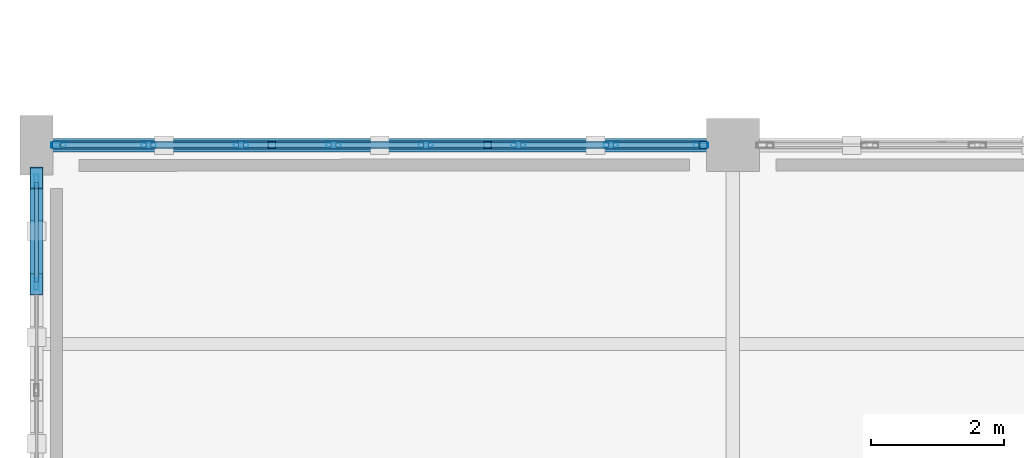
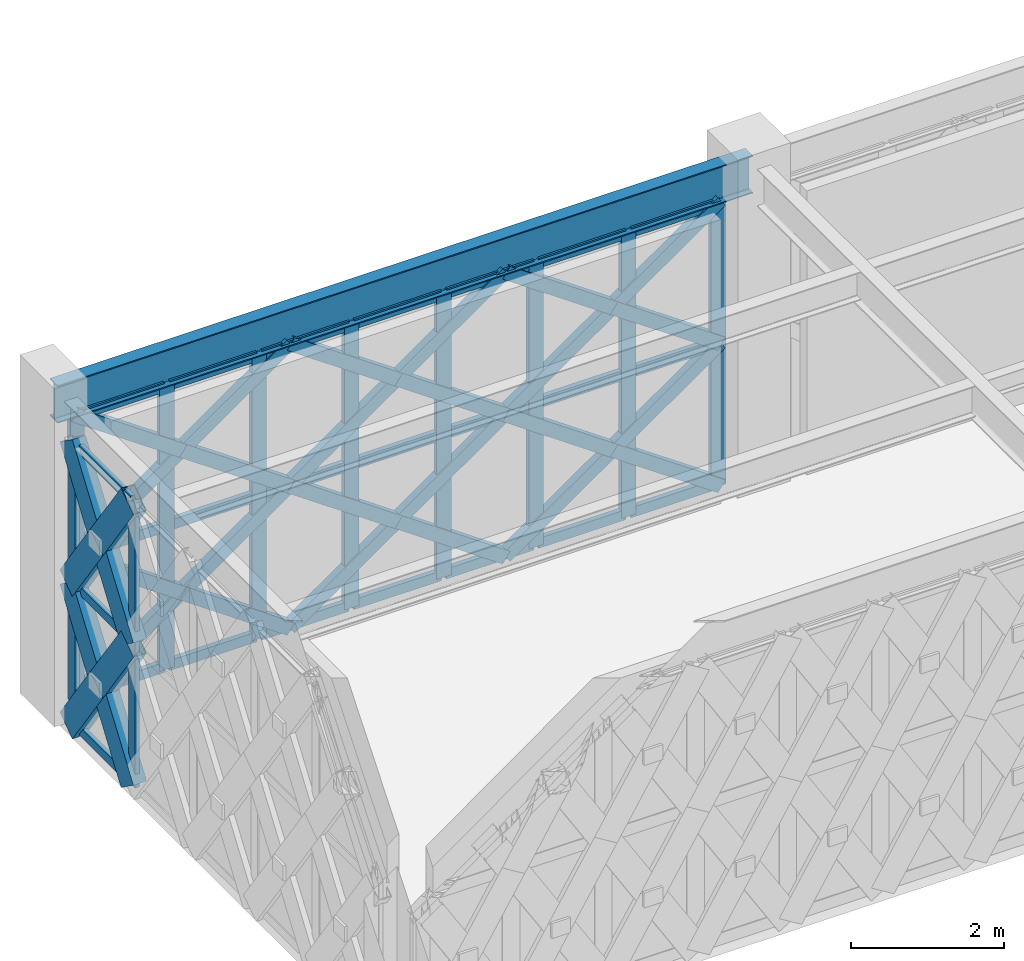
# One storey, part 16 of 86: 58 members, 1 beam, 2 elements without a shape of their own.
"""IFC4 building model written with IfcOpenShell, lengths in metres."""

from ifc_helpers import new_model, si_unit, direction, frame, origin, origin_2d, place, context, subcontext, project, spatial, hollow_rectangle, i_section, extrude, material, material_profile, profile_set, type_object, element, aggregate, save


model = new_model("IFC4")

# Units and contexts
model_context = context("Model", 3, precision=1e-05, world=origin(), true_north=direction((0.0, 1.0)))
body_context = subcontext(model_context, "Body", "Model", "MODEL_VIEW")
ifc_project = project(units=[si_unit("LENGTHUNIT", "METRE"), si_unit("AREAUNIT", "SQUARE_METRE"), si_unit("VOLUMEUNIT", "CUBIC_METRE"), si_unit("PLANEANGLEUNIT", "RADIAN"), si_unit("MASSUNIT", "GRAM", prefix="KILO")], contexts=[model_context])

# Site, building, storey
site_placement = place(None, origin())
site = spatial("IfcSite", under=ifc_project, at=site_placement, CompositionType="ELEMENT")
building_placement = place(site_placement, origin())
building = spatial("IfcBuilding", under=site, at=building_placement, Name="Haizhuo Lancet Aquarium", CompositionType="ELEMENT")
storey_placement = place(building_placement, frame((0.0, 0.0, 16.199951171875)))
storey = spatial("IfcBuildingStorey", under=building, at=storey_placement, Name="L03", CompositionType="ELEMENT", Elevation=16.199951171875)

# Beam
ifc_material_1 = material(Name="Steel S355", Category="steel")
ifc_material_profile_1 = material_profile(ifc_material_1, i_section(OverallWidth=0.199951171875, OverallDepth=0.60009765625, WebThickness=0.010986328125, FlangeThickness=0.01708984375, FilletRadius=0.02197265625, at=origin_2d()), Name="HN 600x200x11x17")
ifc_profile_set_1 = profile_set([ifc_material_profile_1], Name="Steel S355")
beam_type = type_object("IfcBeamType", Name="BM-ST-HN600", PredefinedType="BEAM", material=ifc_profile_set_1)
beam_placement = place(storey_placement, frame((-82.5, -9.0, 4.85009765625), z_axis=(1.0, 0.0, 0.0), x_axis=(0.0, 1.0, 0.0)))
element("IfcBeam", 1, at=beam_placement, inside=storey, type_object=beam_type, Name="L03 V6 primary girder BM-L03-V6-003", PredefinedType="BEAM", context=body_context, shape_type="SweptSolid", body=[
    extrude(i_section(OverallWidth=0.199951171875, OverallDepth=0.60009765625, WebThickness=0.010986328125, FlangeThickness=0.01708984375, FilletRadius=0.02197265625, at=origin_2d()), origin(), (0.0, 0.0, 1.0), 10.5),
])

# Curtain wall, members
ifc_material_2 = material(Name="Aluminium 6063-T6", Category="aluminium")
curtain_wall_type_1 = type_object("IfcCurtainWallType", Name="CWD-8010x4550", PredefinedType="NOTDEFINED", material=ifc_material_2)
curtain_wall_1_placement = place(storey_placement, origin())
curtain_wall_1 = element("IfcCurtainWall", 2, at=curtain_wall_1_placement, inside=storey, type_object=curtain_wall_type_1, Name="L03 curtain wall CW-V6-L03-229", PredefinedType="NOTDEFINED")
ifc_material_profile_2 = material_profile(ifc_material_2, hollow_rectangle(XDim=0.06494140625, YDim=0.179931640625, WallThickness=0.00390625, at=origin_2d()), Name="ALU-M 65x180x4")
ifc_profile_set_2 = profile_set([ifc_material_profile_2], Name="Aluminium 6063-T6")
member_type_1 = type_object("IfcMemberType", Name="CW-MUL-1", PredefinedType="MULLION", material=ifc_profile_set_2)
member_1_placement = place(storey_placement, frame((-82.5, -11.096923828125, 0.0), z_axis=(0.0, 0.0, 1.0), x_axis=(-1.0, 0.0, 0.0)))
member_1 = element("IfcMember", 3, at=member_1_placement, type_object=member_type_1, Name="CWD-80x45 mullion 5", PredefinedType="MULLION", context=body_context, shape_type="SweptSolid", body=[
    extrude(hollow_rectangle(XDim=0.06494140625, YDim=0.179931640625, WallThickness=0.00390625, at=origin_2d()), origin(), (0.0, 0.0, 1.0), 4.550048828125),
])
member_2_placement = place(storey_placement, frame((-82.5, -9.527099609375, 0.0), z_axis=(0.0, 0.0, 1.0), x_axis=(-1.0, 0.0, 0.0)))
member_2 = element("IfcMember", 4, at=member_2_placement, type_object=member_type_1, Name="CWD-80x45 mullion 6", PredefinedType="MULLION", context=body_context, shape_type="SweptSolid", body=[
    extrude(hollow_rectangle(XDim=0.06494140625, YDim=0.179931640625, WallThickness=0.00390625, at=origin_2d()), origin(), (0.0, 0.0, 1.0), 4.550048828125),
])

curtain_wall_type_2 = type_object("IfcCurtainWallType", Name="CWO-9760x4550", PredefinedType="NOTDEFINED", material=ifc_material_2)
curtain_wall_2_placement = place(storey_placement, origin())
curtain_wall_2 = element("IfcCurtainWall", 5, at=curtain_wall_2_placement, inside=storey, type_object=curtain_wall_type_2, Name="L03 curtain wall CW-V6-L03-230", PredefinedType="NOTDEFINED")
ifc_material_profile_3 = material_profile(ifc_material_2, hollow_rectangle(XDim=0.074951171875, YDim=0.219970703125, WallThickness=0.0048828125, at=origin_2d()), Name="ALU-M 75x220x5")
ifc_profile_set_3 = profile_set([ifc_material_profile_3], Name="Aluminium 6063-T6")
member_type_2 = type_object("IfcMemberType", Name="CW-MUL-2", PredefinedType="MULLION", material=ifc_profile_set_3)
member_3_placement = place(storey_placement, frame((-82.16796875, -9.0, 0.0), z_axis=(0.0, 0.0, 1.0), x_axis=(0.0, 1.0, 0.0)))
member_3 = element("IfcMember", 6, at=member_3_placement, type_object=member_type_2, Name="CWO-97x45 mullion 1", PredefinedType="MULLION", context=body_context, shape_type="SweptSolid", body=[
    extrude(hollow_rectangle(XDim=0.074951171875, YDim=0.219970703125, WallThickness=0.0048828125, at=origin_2d()), origin(), (0.0, 0.0, 1.0), 4.550048828125),
])
member_4_placement = place(storey_placement, frame((-80.81103515625, -9.0, 0.0), z_axis=(0.0, 0.0, 1.0), x_axis=(0.0, 1.0, 0.0)))
member_4 = element("IfcMember", 7, at=member_4_placement, type_object=member_type_2, Name="CWO-97x45 mullion 2", PredefinedType="MULLION", context=body_context, shape_type="SweptSolid", body=[
    extrude(hollow_rectangle(XDim=0.074951171875, YDim=0.219970703125, WallThickness=0.0048828125, at=origin_2d()), origin(), (0.0, 0.0, 1.0), 4.550048828125),
])
member_5_placement = place(storey_placement, frame((-79.416015625, -9.0, 0.0), z_axis=(0.0, 0.0, 1.0), x_axis=(0.0, 1.0, 0.0)))
member_5 = element("IfcMember", 8, at=member_5_placement, type_object=member_type_2, Name="CWO-97x45 mullion 3", PredefinedType="MULLION", context=body_context, shape_type="SweptSolid", body=[
    extrude(hollow_rectangle(XDim=0.074951171875, YDim=0.219970703125, WallThickness=0.0048828125, at=origin_2d()), origin(), (0.0, 0.0, 1.0), 4.550048828125),
])
member_6_placement = place(storey_placement, frame((-78.02197265625, -9.0, 0.0), z_axis=(0.0, 0.0, 1.0), x_axis=(0.0, 1.0, 0.0)))
member_6 = element("IfcMember", 9, at=member_6_placement, type_object=member_type_2, Name="CWO-97x45 mullion 4", PredefinedType="MULLION", context=body_context, shape_type="SweptSolid", body=[
    extrude(hollow_rectangle(XDim=0.074951171875, YDim=0.219970703125, WallThickness=0.0048828125, at=origin_2d()), origin(), (0.0, 0.0, 1.0), 4.550048828125),
])
member_7_placement = place(storey_placement, frame((-76.6279296875, -9.0, 0.0), z_axis=(0.0, 0.0, 1.0), x_axis=(0.0, 1.0, 0.0)))
member_7 = element("IfcMember", 10, at=member_7_placement, type_object=member_type_2, Name="CWO-97x45 mullion 5", PredefinedType="MULLION", context=body_context, shape_type="SweptSolid", body=[
    extrude(hollow_rectangle(XDim=0.074951171875, YDim=0.219970703125, WallThickness=0.0048828125, at=origin_2d()), origin(), (0.0, 0.0, 1.0), 4.550048828125),
])
member_8_placement = place(storey_placement, frame((-75.23388671875, -9.0, 0.0), z_axis=(0.0, 0.0, 1.0), x_axis=(0.0, 1.0, 0.0)))
member_8 = element("IfcMember", 11, at=member_8_placement, type_object=member_type_2, Name="CWO-97x45 mullion 6", PredefinedType="MULLION", context=body_context, shape_type="SweptSolid", body=[
    extrude(hollow_rectangle(XDim=0.074951171875, YDim=0.219970703125, WallThickness=0.0048828125, at=origin_2d()), origin(), (0.0, 0.0, 1.0), 4.550048828125),
])
member_9_placement = place(storey_placement, frame((-73.839111328125, -9.0, 0.0), z_axis=(0.0, 0.0, 1.0), x_axis=(0.0, 1.0, 0.0)))
member_9 = element("IfcMember", 12, at=member_9_placement, type_object=member_type_2, Name="CWO-97x45 mullion 7", PredefinedType="MULLION", context=body_context, shape_type="SweptSolid", body=[
    extrude(hollow_rectangle(XDim=0.074951171875, YDim=0.219970703125, WallThickness=0.0048828125, at=origin_2d()), origin(), (0.0, 0.0, 1.0), 4.550048828125),
])
member_10_placement = place(storey_placement, frame((-72.48193359375, -9.0, 0.0), z_axis=(0.0, 0.0, 1.0), x_axis=(0.0, 1.0, 0.0)))
member_10 = element("IfcMember", 13, at=member_10_placement, type_object=member_type_2, Name="CWO-97x45 mullion 8", PredefinedType="MULLION", context=body_context, shape_type="SweptSolid", body=[
    extrude(hollow_rectangle(XDim=0.074951171875, YDim=0.219970703125, WallThickness=0.0048828125, at=origin_2d()), origin(), (0.0, 0.0, 1.0), 4.550048828125),
])

# Member
ifc_material_profile_4 = material_profile(ifc_material_2, hollow_rectangle(XDim=0.06494140625, YDim=0.139892578125, WallThickness=0.00390625, at=origin_2d()), Name="ALU-T 65x140x4")
ifc_profile_set_4 = profile_set([ifc_material_profile_4], Name="Aluminium 6063-T6")
member_type_3 = type_object("IfcMemberType", Name="CW-TRN-1", PredefinedType="NOTDEFINED", material=ifc_profile_set_4)
member_11_placement = place(storey_placement, frame((-82.5, -11.06396484375, 0.031982421875), z_axis=(0.0, 1.0, 0.0), x_axis=(-1.0, 0.0, 0.0)))
member_11 = element("IfcMember", 14, at=member_11_placement, type_object=member_type_3, Name="CWD-80x45 transom 5.1", ObjectType="TRANSOM", PredefinedType="USERDEFINED", context=body_context, shape_type="SweptSolid", body=[
    extrude(hollow_rectangle(XDim=0.06494140625, YDim=0.139892578125, WallThickness=0.00390625, at=origin_2d()), origin(), (0.0, 0.0, 1.0), 1.50390625),
])

member_12_placement = place(storey_placement, frame((-82.5, -11.06396484375, 2.275146484375), z_axis=(0.0, 1.0, 0.0), x_axis=(-1.0, 0.0, 0.0)))
member_12 = element("IfcMember", 15, at=member_12_placement, type_object=member_type_3, Name="CWD-80x45 transom 5.2", ObjectType="TRANSOM", PredefinedType="USERDEFINED", context=body_context, shape_type="SweptSolid", body=[
    extrude(hollow_rectangle(XDim=0.06494140625, YDim=0.139892578125, WallThickness=0.00390625, at=origin_2d()), origin(), (0.0, 0.0, 1.0), 1.50390625),
])

member_13_placement = place(storey_placement, frame((-82.5, -11.06396484375, 4.51806640625), z_axis=(0.0, 1.0, 0.0), x_axis=(-1.0, 0.0, 0.0)))
member_13 = element("IfcMember", 16, at=member_13_placement, type_object=member_type_3, Name="CWD-80x45 transom 5.3", ObjectType="TRANSOM", PredefinedType="USERDEFINED", context=body_context, shape_type="SweptSolid", body=[
    extrude(hollow_rectangle(XDim=0.06494140625, YDim=0.139892578125, WallThickness=0.00390625, at=origin_2d()), origin(), (0.0, 0.0, 1.0), 1.50390625),
])

aggregate(curtain_wall_1, [member_1, member_2, member_11, member_12, member_13])

ifc_material_profile_5 = material_profile(ifc_material_2, hollow_rectangle(XDim=0.074951171875, YDim=0.159912109375, WallThickness=0.00390625, at=origin_2d()), Name="ALU-T 75x160x4")
ifc_profile_set_5 = profile_set([ifc_material_profile_5], Name="Aluminium 6063-T6")
member_type_4 = type_object("IfcMemberType", Name="CW-TRN-2", PredefinedType="NOTDEFINED", material=ifc_profile_set_5)
member_14_placement = place(storey_placement, frame((-82.1298828125, -9.0, 0.0380859375), z_axis=(1.0, 0.0, 0.0), x_axis=(0.0, 1.0, 0.0)))
member_14 = element("IfcMember", 17, at=member_14_placement, type_object=member_type_4, Name="CWO-97x45 transom 1.1", ObjectType="TRANSOM", PredefinedType="USERDEFINED", context=body_context, shape_type="SweptSolid", body=[
    extrude(hollow_rectangle(XDim=0.074951171875, YDim=0.159912109375, WallThickness=0.00390625, at=origin_2d()), origin(), (0.0, 0.0, 1.0), 1.281982421875),
])

member_15_placement = place(storey_placement, frame((-82.1298828125, -9.0, 2.275146484375), z_axis=(1.0, 0.0, 0.0), x_axis=(0.0, 1.0, 0.0)))
member_15 = element("IfcMember", 18, at=member_15_placement, type_object=member_type_4, Name="CWO-97x45 transom 1.2", ObjectType="TRANSOM", PredefinedType="USERDEFINED", context=body_context, shape_type="SweptSolid", body=[
    extrude(hollow_rectangle(XDim=0.074951171875, YDim=0.159912109375, WallThickness=0.00390625, at=origin_2d()), origin(), (0.0, 0.0, 1.0), 1.281982421875),
])

member_16_placement = place(storey_placement, frame((-82.1298828125, -9.0, 4.511962890625), z_axis=(1.0, 0.0, 0.0), x_axis=(0.0, 1.0, 0.0)))
member_16 = element("IfcMember", 19, at=member_16_placement, type_object=member_type_4, Name="CWO-97x45 transom 1.3", ObjectType="TRANSOM", PredefinedType="USERDEFINED", context=body_context, shape_type="SweptSolid", body=[
    extrude(hollow_rectangle(XDim=0.074951171875, YDim=0.159912109375, WallThickness=0.00390625, at=origin_2d()), origin(), (0.0, 0.0, 1.0), 1.281982421875),
])

member_17_placement = place(storey_placement, frame((-80.77294921875, -9.0, 0.0380859375), z_axis=(1.0, 0.0, 0.0), x_axis=(0.0, 1.0, 0.0)))
member_17 = element("IfcMember", 20, at=member_17_placement, type_object=member_type_4, Name="CWO-97x45 transom 2.1", ObjectType="TRANSOM", PredefinedType="USERDEFINED", context=body_context, shape_type="SweptSolid", body=[
    extrude(hollow_rectangle(XDim=0.074951171875, YDim=0.159912109375, WallThickness=0.00390625, at=origin_2d()), origin(), (0.0, 0.0, 1.0), 1.31884765625),
])

member_18_placement = place(storey_placement, frame((-80.77294921875, -9.0, 2.275146484375), z_axis=(1.0, 0.0, 0.0), x_axis=(0.0, 1.0, 0.0)))
member_18 = element("IfcMember", 21, at=member_18_placement, type_object=member_type_4, Name="CWO-97x45 transom 2.2", ObjectType="TRANSOM", PredefinedType="USERDEFINED", context=body_context, shape_type="SweptSolid", body=[
    extrude(hollow_rectangle(XDim=0.074951171875, YDim=0.159912109375, WallThickness=0.00390625, at=origin_2d()), origin(), (0.0, 0.0, 1.0), 1.31884765625),
])

member_19_placement = place(storey_placement, frame((-80.77294921875, -9.0, 4.511962890625), z_axis=(1.0, 0.0, 0.0), x_axis=(0.0, 1.0, 0.0)))
member_19 = element("IfcMember", 22, at=member_19_placement, type_object=member_type_4, Name="CWO-97x45 transom 2.3", ObjectType="TRANSOM", PredefinedType="USERDEFINED", context=body_context, shape_type="SweptSolid", body=[
    extrude(hollow_rectangle(XDim=0.074951171875, YDim=0.159912109375, WallThickness=0.00390625, at=origin_2d()), origin(), (0.0, 0.0, 1.0), 1.31884765625),
])

member_20_placement = place(storey_placement, frame((-79.37890625, -9.0, 0.0380859375), z_axis=(1.0, 0.0, 0.0), x_axis=(0.0, 1.0, 0.0)))
member_20 = element("IfcMember", 23, at=member_20_placement, type_object=member_type_4, Name="CWO-97x45 transom 3.1", ObjectType="TRANSOM", PredefinedType="USERDEFINED", context=body_context, shape_type="SweptSolid", body=[
    extrude(hollow_rectangle(XDim=0.074951171875, YDim=0.159912109375, WallThickness=0.00390625, at=origin_2d()), origin(), (0.0, 0.0, 1.0), 1.31884765625),
])

member_21_placement = place(storey_placement, frame((-79.37890625, -9.0, 2.275146484375), z_axis=(1.0, 0.0, 0.0), x_axis=(0.0, 1.0, 0.0)))
member_21 = element("IfcMember", 24, at=member_21_placement, type_object=member_type_4, Name="CWO-97x45 transom 3.2", ObjectType="TRANSOM", PredefinedType="USERDEFINED", context=body_context, shape_type="SweptSolid", body=[
    extrude(hollow_rectangle(XDim=0.074951171875, YDim=0.159912109375, WallThickness=0.00390625, at=origin_2d()), origin(), (0.0, 0.0, 1.0), 1.31884765625),
])

member_22_placement = place(storey_placement, frame((-79.37890625, -9.0, 4.511962890625), z_axis=(1.0, 0.0, 0.0), x_axis=(0.0, 1.0, 0.0)))
member_22 = element("IfcMember", 25, at=member_22_placement, type_object=member_type_4, Name="CWO-97x45 transom 3.3", ObjectType="TRANSOM", PredefinedType="USERDEFINED", context=body_context, shape_type="SweptSolid", body=[
    extrude(hollow_rectangle(XDim=0.074951171875, YDim=0.159912109375, WallThickness=0.00390625, at=origin_2d()), origin(), (0.0, 0.0, 1.0), 1.31884765625),
])

member_23_placement = place(storey_placement, frame((-77.985107421875, -9.0, 0.0380859375), z_axis=(1.0, 0.0, 0.0), x_axis=(0.0, 1.0, 0.0)))
member_23 = element("IfcMember", 26, at=member_23_placement, type_object=member_type_4, Name="CWO-97x45 transom 4.1", ObjectType="TRANSOM", PredefinedType="USERDEFINED", context=body_context, shape_type="SweptSolid", body=[
    extrude(hollow_rectangle(XDim=0.074951171875, YDim=0.159912109375, WallThickness=0.00390625, at=origin_2d()), origin(), (0.0, 0.0, 1.0), 1.320068359375),
])

member_24_placement = place(storey_placement, frame((-77.985107421875, -9.0, 2.275146484375), z_axis=(1.0, 0.0, 0.0), x_axis=(0.0, 1.0, 0.0)))
member_24 = element("IfcMember", 27, at=member_24_placement, type_object=member_type_4, Name="CWO-97x45 transom 4.2", ObjectType="TRANSOM", PredefinedType="USERDEFINED", context=body_context, shape_type="SweptSolid", body=[
    extrude(hollow_rectangle(XDim=0.074951171875, YDim=0.159912109375, WallThickness=0.00390625, at=origin_2d()), origin(), (0.0, 0.0, 1.0), 1.320068359375),
])

member_25_placement = place(storey_placement, frame((-77.985107421875, -9.0, 4.511962890625), z_axis=(1.0, 0.0, 0.0), x_axis=(0.0, 1.0, 0.0)))
member_25 = element("IfcMember", 28, at=member_25_placement, type_object=member_type_4, Name="CWO-97x45 transom 4.3", ObjectType="TRANSOM", PredefinedType="USERDEFINED", context=body_context, shape_type="SweptSolid", body=[
    extrude(hollow_rectangle(XDim=0.074951171875, YDim=0.159912109375, WallThickness=0.00390625, at=origin_2d()), origin(), (0.0, 0.0, 1.0), 1.320068359375),
])

member_26_placement = place(storey_placement, frame((-76.590087890625, -9.0, 0.0380859375), z_axis=(1.0, 0.0, 0.0), x_axis=(0.0, 1.0, 0.0)))
member_26 = element("IfcMember", 29, at=member_26_placement, type_object=member_type_4, Name="CWO-97x45 transom 5.1", ObjectType="TRANSOM", PredefinedType="USERDEFINED", context=body_context, shape_type="SweptSolid", body=[
    extrude(hollow_rectangle(XDim=0.074951171875, YDim=0.159912109375, WallThickness=0.00390625, at=origin_2d()), origin(), (0.0, 0.0, 1.0), 1.319091796875),
])

member_27_placement = place(storey_placement, frame((-76.590087890625, -9.0, 2.275146484375), z_axis=(1.0, 0.0, 0.0), x_axis=(0.0, 1.0, 0.0)))
member_27 = element("IfcMember", 30, at=member_27_placement, type_object=member_type_4, Name="CWO-97x45 transom 5.2", ObjectType="TRANSOM", PredefinedType="USERDEFINED", context=body_context, shape_type="SweptSolid", body=[
    extrude(hollow_rectangle(XDim=0.074951171875, YDim=0.159912109375, WallThickness=0.00390625, at=origin_2d()), origin(), (0.0, 0.0, 1.0), 1.319091796875),
])

member_28_placement = place(storey_placement, frame((-76.590087890625, -9.0, 4.511962890625), z_axis=(1.0, 0.0, 0.0), x_axis=(0.0, 1.0, 0.0)))
member_28 = element("IfcMember", 31, at=member_28_placement, type_object=member_type_4, Name="CWO-97x45 transom 5.3", ObjectType="TRANSOM", PredefinedType="USERDEFINED", context=body_context, shape_type="SweptSolid", body=[
    extrude(hollow_rectangle(XDim=0.074951171875, YDim=0.159912109375, WallThickness=0.00390625, at=origin_2d()), origin(), (0.0, 0.0, 1.0), 1.319091796875),
])

member_29_placement = place(storey_placement, frame((-75.196044921875, -9.0, 0.0380859375), z_axis=(1.0, 0.0, 0.0), x_axis=(0.0, 1.0, 0.0)))
member_29 = element("IfcMember", 32, at=member_29_placement, type_object=member_type_4, Name="CWO-97x45 transom 6.1", ObjectType="TRANSOM", PredefinedType="USERDEFINED", context=body_context, shape_type="SweptSolid", body=[
    extrude(hollow_rectangle(XDim=0.074951171875, YDim=0.159912109375, WallThickness=0.00390625, at=origin_2d()), origin(), (0.0, 0.0, 1.0), 1.319091796875),
])

member_30_placement = place(storey_placement, frame((-75.196044921875, -9.0, 2.275146484375), z_axis=(1.0, 0.0, 0.0), x_axis=(0.0, 1.0, 0.0)))
member_30 = element("IfcMember", 33, at=member_30_placement, type_object=member_type_4, Name="CWO-97x45 transom 6.2", ObjectType="TRANSOM", PredefinedType="USERDEFINED", context=body_context, shape_type="SweptSolid", body=[
    extrude(hollow_rectangle(XDim=0.074951171875, YDim=0.159912109375, WallThickness=0.00390625, at=origin_2d()), origin(), (0.0, 0.0, 1.0), 1.319091796875),
])

member_31_placement = place(storey_placement, frame((-75.196044921875, -9.0, 4.511962890625), z_axis=(1.0, 0.0, 0.0), x_axis=(0.0, 1.0, 0.0)))
member_31 = element("IfcMember", 34, at=member_31_placement, type_object=member_type_4, Name="CWO-97x45 transom 6.3", ObjectType="TRANSOM", PredefinedType="USERDEFINED", context=body_context, shape_type="SweptSolid", body=[
    extrude(hollow_rectangle(XDim=0.074951171875, YDim=0.159912109375, WallThickness=0.00390625, at=origin_2d()), origin(), (0.0, 0.0, 1.0), 1.319091796875),
])

member_32_placement = place(storey_placement, frame((-73.802001953125, -9.0, 0.0380859375), z_axis=(1.0, 0.0, 0.0), x_axis=(0.0, 1.0, 0.0)))
member_32 = element("IfcMember", 35, at=member_32_placement, type_object=member_type_4, Name="CWO-97x45 transom 7.1", ObjectType="TRANSOM", PredefinedType="USERDEFINED", context=body_context, shape_type="SweptSolid", body=[
    extrude(hollow_rectangle(XDim=0.074951171875, YDim=0.159912109375, WallThickness=0.00390625, at=origin_2d()), origin(), (0.0, 0.0, 1.0), 1.281982421875),
])

member_33_placement = place(storey_placement, frame((-73.802001953125, -9.0, 2.275146484375), z_axis=(1.0, 0.0, 0.0), x_axis=(0.0, 1.0, 0.0)))
member_33 = element("IfcMember", 36, at=member_33_placement, type_object=member_type_4, Name="CWO-97x45 transom 7.2", ObjectType="TRANSOM", PredefinedType="USERDEFINED", context=body_context, shape_type="SweptSolid", body=[
    extrude(hollow_rectangle(XDim=0.074951171875, YDim=0.159912109375, WallThickness=0.00390625, at=origin_2d()), origin(), (0.0, 0.0, 1.0), 1.281982421875),
])

member_34_placement = place(storey_placement, frame((-73.802001953125, -9.0, 4.511962890625), z_axis=(1.0, 0.0, 0.0), x_axis=(0.0, 1.0, 0.0)))
member_34 = element("IfcMember", 37, at=member_34_placement, type_object=member_type_4, Name="CWO-97x45 transom 7.3", ObjectType="TRANSOM", PredefinedType="USERDEFINED", context=body_context, shape_type="SweptSolid", body=[
    extrude(hollow_rectangle(XDim=0.074951171875, YDim=0.159912109375, WallThickness=0.00390625, at=origin_2d()), origin(), (0.0, 0.0, 1.0), 1.281982421875),
])

aggregate(curtain_wall_2, [member_3, member_4, member_5, member_6, member_7, member_8, member_9, member_10, member_14, member_15, member_16, member_17, member_18, member_19, member_20, member_21, member_22, member_23, member_24, member_25, member_26, member_27, member_28, member_29, member_30, member_31, member_32, member_33, member_34])

# Members
ifc_material_profile_6 = material_profile(ifc_material_1, hollow_rectangle(XDim=0.1201171875, YDim=0.199951171875, WallThickness=0.008056640625, at=origin_2d()), Name="RHS 120x200x8")
ifc_profile_set_6 = profile_set([ifc_material_profile_6], Name="Steel S355")
member_type_5 = type_object("IfcMemberType", Name="MEM-LB-RHS120x200", PredefinedType="BRACE", material=ifc_profile_set_6)
member_35_placement = place(storey_placement, frame((-82.205078125, -9.0, 0.0), z_axis=(0.819477429627, 0.0, 0.573111457163), x_axis=(0.0, 1.0, 0.0)))
element("IfcMember", 38, at=member_35_placement, inside=storey, type_object=member_type_5, Name="Gothic lancet continuous diagonal brace CW-V6-L03-230 1A", PredefinedType="BRACE", context=body_context, shape_type="SweptSolid", body=[
    extrude(hollow_rectangle(XDim=0.1201171875, YDim=0.199951171875, WallThickness=0.008056640625, at=origin_2d()), origin(), (0.0, 0.0, 1.0), 3.9697265625),
])
member_36_placement = place(storey_placement, frame((-78.951904296875, -9.0, 0.0), z_axis=(-0.819520862852, 0.0, 0.573049348093), x_axis=(0.0, -1.0, 0.0)))
element("IfcMember", 39, at=member_36_placement, inside=storey, type_object=member_type_5, Name="Gothic lancet split diagonal brace CW-V6-L03-230 1B1", PredefinedType="BRACE", context=body_context, shape_type="SweptSolid", body=[
    extrude(hollow_rectangle(XDim=0.1201171875, YDim=0.199951171875, WallThickness=0.008056640625, at=origin_2d()), origin(), (0.0, 0.0, 1.0), 1.984130859375),
])
member_37_placement = place(storey_placement, frame((-80.577880859375, -9.0, 1.136962890625), z_axis=(-0.819434028883, 0.0, 0.573173509775), x_axis=(0.0, -1.0, 0.0)))
element("IfcMember", 40, at=member_37_placement, inside=storey, type_object=member_type_5, Name="Gothic lancet split diagonal brace CW-V6-L03-230 1B2", PredefinedType="BRACE", context=body_context, shape_type="SweptSolid", body=[
    extrude(hollow_rectangle(XDim=0.1201171875, YDim=0.199951171875, WallThickness=0.008056640625, at=origin_2d()), origin(), (0.0, 0.0, 1.0), 1.98583984375),
])
member_38_placement = place(storey_placement, frame((-82.205078125, -9.0, 2.275146484375), z_axis=(0.819506312842, 0.0, 0.573070155577), x_axis=(0.0, 1.0, 0.0)))
element("IfcMember", 41, at=member_38_placement, inside=storey, type_object=member_type_5, Name="Gothic lancet continuous diagonal brace CW-V6-L03-230 2A", PredefinedType="BRACE", context=body_context, shape_type="SweptSolid", body=[
    extrude(hollow_rectangle(XDim=0.1201171875, YDim=0.199951171875, WallThickness=0.008056640625, at=origin_2d()), origin(), (0.0, 0.0, 1.0), 3.9697265625),
])
member_39_placement = place(storey_placement, frame((-78.951904296875, -9.0, 2.275146484375), z_axis=(-0.819289709333, 0.0, 0.57337978006), x_axis=(0.0, -1.0, 0.0)))
element("IfcMember", 42, at=member_39_placement, inside=storey, type_object=member_type_5, Name="Gothic lancet split diagonal brace CW-V6-L03-230 2B1", PredefinedType="BRACE", context=body_context, shape_type="SweptSolid", body=[
    extrude(hollow_rectangle(XDim=0.1201171875, YDim=0.199951171875, WallThickness=0.008056640625, at=origin_2d()), origin(), (0.0, 0.0, 1.0), 1.984619140625),
])
member_40_placement = place(storey_placement, frame((-80.577880859375, -9.0, 3.4130859375), z_axis=(-0.819722751285, 0.0, 0.57276051804), x_axis=(0.0, -1.0, 0.0)))
element("IfcMember", 43, at=member_40_placement, inside=storey, type_object=member_type_5, Name="Gothic lancet split diagonal brace CW-V6-L03-230 2B2", PredefinedType="BRACE", context=body_context, shape_type="SweptSolid", body=[
    extrude(hollow_rectangle(XDim=0.1201171875, YDim=0.199951171875, WallThickness=0.008056640625, at=origin_2d()), origin(), (0.0, 0.0, 1.0), 1.985107421875),
])
member_41_placement = place(storey_placement, frame((-78.951904296875, -9.0, 0.0), z_axis=(0.819538015411, 0.0, 0.573024817348), x_axis=(0.0, 1.0, 0.0)))
element("IfcMember", 44, at=member_41_placement, inside=storey, type_object=member_type_5, Name="Gothic lancet continuous diagonal brace CW-V6-L03-230 3A", PredefinedType="BRACE", context=body_context, shape_type="SweptSolid", body=[
    extrude(hollow_rectangle(XDim=0.1201171875, YDim=0.199951171875, WallThickness=0.008056640625, at=origin_2d()), origin(), (0.0, 0.0, 1.0), 3.970458984375),
])
member_42_placement = place(storey_placement, frame((-75.697998046875, -9.0, 0.0), z_axis=(-0.819682398022, 0.0, 0.572818266445), x_axis=(0.0, -1.0, 0.0)))
element("IfcMember", 45, at=member_42_placement, inside=storey, type_object=member_type_5, Name="Gothic lancet split diagonal brace CW-V6-L03-230 3B1", PredefinedType="BRACE", context=body_context, shape_type="SweptSolid", body=[
    extrude(hollow_rectangle(XDim=0.1201171875, YDim=0.199951171875, WallThickness=0.008056640625, at=origin_2d()), origin(), (0.0, 0.0, 1.0), 1.98486328125),
])
member_43_placement = place(storey_placement, frame((-77.324951171875, -9.0, 1.136962890625), z_axis=(-0.819393631643, 0.0, 0.573231259112), x_axis=(0.0, -1.0, 0.0)))
element("IfcMember", 46, at=member_43_placement, inside=storey, type_object=member_type_5, Name="Gothic lancet split diagonal brace CW-V6-L03-230 3B2", PredefinedType="BRACE", context=body_context, shape_type="SweptSolid", body=[
    extrude(hollow_rectangle(XDim=0.1201171875, YDim=0.199951171875, WallThickness=0.008056640625, at=origin_2d()), origin(), (0.0, 0.0, 1.0), 1.985595703125),
])
member_44_placement = place(storey_placement, frame((-78.951904296875, -9.0, 2.275146484375), z_axis=(0.819566892027, 0.0, 0.5729835159), x_axis=(0.0, 1.0, 0.0)))
element("IfcMember", 47, at=member_44_placement, inside=storey, type_object=member_type_5, Name="Gothic lancet continuous diagonal brace CW-V6-L03-230 4A", PredefinedType="BRACE", context=body_context, shape_type="SweptSolid", body=[
    extrude(hollow_rectangle(XDim=0.1201171875, YDim=0.199951171875, WallThickness=0.008056640625, at=origin_2d()), origin(), (0.0, 0.0, 1.0), 3.97021484375),
])
member_45_placement = place(storey_placement, frame((-75.697998046875, -9.0, 2.275146484375), z_axis=(-0.819451385285, 0.0, 0.5731486955), x_axis=(0.0, -1.0, 0.0)))
element("IfcMember", 48, at=member_45_placement, inside=storey, type_object=member_type_5, Name="Gothic lancet split diagonal brace CW-V6-L03-230 4B1", PredefinedType="BRACE", context=body_context, shape_type="SweptSolid", body=[
    extrude(hollow_rectangle(XDim=0.1201171875, YDim=0.199951171875, WallThickness=0.008056640625, at=origin_2d()), origin(), (0.0, 0.0, 1.0), 1.9853515625),
])
member_46_placement = place(storey_placement, frame((-77.324951171875, -9.0, 3.4130859375), z_axis=(-0.819682398022, 0.0, 0.572818266445), x_axis=(0.0, -1.0, 0.0)))
element("IfcMember", 49, at=member_46_placement, inside=storey, type_object=member_type_5, Name="Gothic lancet split diagonal brace CW-V6-L03-230 4B2", PredefinedType="BRACE", context=body_context, shape_type="SweptSolid", body=[
    extrude(hollow_rectangle(XDim=0.1201171875, YDim=0.199951171875, WallThickness=0.008056640625, at=origin_2d()), origin(), (0.0, 0.0, 1.0), 1.98486328125),
])
member_47_placement = place(storey_placement, frame((-75.697998046875, -9.0, 0.0), z_axis=(0.819457228259, 0.0, 0.5731403415), x_axis=(0.0, 1.0, 0.0)))
element("IfcMember", 50, at=member_47_placement, inside=storey, type_object=member_type_5, Name="Gothic lancet continuous diagonal brace CW-V6-L03-230 5A", PredefinedType="BRACE", context=body_context, shape_type="SweptSolid", body=[
    extrude(hollow_rectangle(XDim=0.1201171875, YDim=0.199951171875, WallThickness=0.008056640625, at=origin_2d()), origin(), (0.0, 0.0, 1.0), 3.9697265625),
])
member_48_placement = place(storey_placement, frame((-72.445068359375, -9.0, 0.0), z_axis=(-0.819520862852, 0.0, 0.573049348093), x_axis=(0.0, -1.0, 0.0)))
element("IfcMember", 51, at=member_48_placement, inside=storey, type_object=member_type_5, Name="Gothic lancet split diagonal brace CW-V6-L03-230 5B1", PredefinedType="BRACE", context=body_context, shape_type="SweptSolid", body=[
    extrude(hollow_rectangle(XDim=0.1201171875, YDim=0.199951171875, WallThickness=0.008056640625, at=origin_2d()), origin(), (0.0, 0.0, 1.0), 1.984130859375),
])
member_49_placement = place(storey_placement, frame((-74.071044921875, -9.0, 1.136962890625), z_axis=(-0.819393631643, 0.0, 0.573231259112), x_axis=(0.0, -1.0, 0.0)))
element("IfcMember", 52, at=member_49_placement, inside=storey, type_object=member_type_5, Name="Gothic lancet split diagonal brace CW-V6-L03-230 5B2", PredefinedType="BRACE", context=body_context, shape_type="SweptSolid", body=[
    extrude(hollow_rectangle(XDim=0.1201171875, YDim=0.199951171875, WallThickness=0.008056640625, at=origin_2d()), origin(), (0.0, 0.0, 1.0), 1.985595703125),
])
member_50_placement = place(storey_placement, frame((-75.697998046875, -9.0, 2.275146484375), z_axis=(0.819486113673, 0.0, 0.573099039868), x_axis=(0.0, 1.0, 0.0)))
element("IfcMember", 53, at=member_50_placement, inside=storey, type_object=member_type_5, Name="Gothic lancet continuous diagonal brace CW-V6-L03-230 6A", PredefinedType="BRACE", context=body_context, shape_type="SweptSolid", body=[
    extrude(hollow_rectangle(XDim=0.1201171875, YDim=0.199951171875, WallThickness=0.008056640625, at=origin_2d()), origin(), (0.0, 0.0, 1.0), 3.969482421875),
])
member_51_placement = place(storey_placement, frame((-72.445068359375, -9.0, 2.275146484375), z_axis=(-0.819289709333, 0.0, 0.57337978006), x_axis=(0.0, -1.0, 0.0)))
element("IfcMember", 54, at=member_51_placement, inside=storey, type_object=member_type_5, Name="Gothic lancet split diagonal brace CW-V6-L03-230 6B1", PredefinedType="BRACE", context=body_context, shape_type="SweptSolid", body=[
    extrude(hollow_rectangle(XDim=0.1201171875, YDim=0.199951171875, WallThickness=0.008056640625, at=origin_2d()), origin(), (0.0, 0.0, 1.0), 1.984619140625),
])
member_52_placement = place(storey_placement, frame((-74.071044921875, -9.0, 3.4130859375), z_axis=(-0.819682398022, 0.0, 0.572818266445), x_axis=(0.0, -1.0, 0.0)))
element("IfcMember", 55, at=member_52_placement, inside=storey, type_object=member_type_5, Name="Gothic lancet split diagonal brace CW-V6-L03-230 6B2", PredefinedType="BRACE", context=body_context, shape_type="SweptSolid", body=[
    extrude(hollow_rectangle(XDim=0.1201171875, YDim=0.199951171875, WallThickness=0.008056640625, at=origin_2d()), origin(), (0.0, 0.0, 1.0), 1.98486328125),
])
ifc_material_profile_7 = material_profile(ifc_material_1, hollow_rectangle(XDim=0.199951171875, YDim=0.39990234375, WallThickness=0.011962890625, at=origin_2d()), Name="RHS 200x400x12")
ifc_profile_set_7 = profile_set([ifc_material_profile_7], Name="Steel S355")
member_type_6 = type_object("IfcMemberType", Name="MEM-LB-RHS200x400", PredefinedType="BRACE", material=ifc_profile_set_7)
member_53_placement = place(storey_placement, frame((-82.5, -11.096923828125, 0.0), z_axis=(0.0, 0.57568030739, 0.817674864285), x_axis=(-1.0, 0.0, 0.0)))
element("IfcMember", 56, at=member_53_placement, inside=storey, type_object=member_type_6, Name="Gothic lancet continuous diagonal brace CW-V6-L03-229 9A", PredefinedType="BRACE", context=body_context, shape_type="SweptSolid", body=[
    extrude(hollow_rectangle(XDim=0.199951171875, YDim=0.39990234375, WallThickness=0.011962890625, at=origin_2d()), origin(), (0.0, 0.0, 1.0), 2.782470703125),
])
member_54_placement = place(storey_placement, frame((-82.5, -9.4951171875, 0.0), z_axis=(0.0, -0.575828205451, 0.817570717313), x_axis=(1.0, 0.0, 0.0)))
element("IfcMember", 57, at=member_54_placement, inside=storey, type_object=member_type_6, Name="Gothic lancet split diagonal brace CW-V6-L03-229 9B1", PredefinedType="BRACE", context=body_context, shape_type="SweptSolid", body=[
    extrude(hollow_rectangle(XDim=0.199951171875, YDim=0.39990234375, WallThickness=0.011962890625, at=origin_2d()), origin(), (0.0, 0.0, 1.0), 1.390625),
])
member_55_placement = place(storey_placement, frame((-82.5, -10.2958984375, 1.136962890625), z_axis=(0.0, -0.575532511518, 0.817778899328), x_axis=(1.0, 0.0, 0.0)))
element("IfcMember", 58, at=member_55_placement, inside=storey, type_object=member_type_6, Name="Gothic lancet split diagonal brace CW-V6-L03-229 9B2", PredefinedType="BRACE", context=body_context, shape_type="SweptSolid", body=[
    extrude(hollow_rectangle(XDim=0.199951171875, YDim=0.39990234375, WallThickness=0.011962890625, at=origin_2d()), origin(), (0.0, 0.0, 1.0), 1.391845703125),
])
member_56_placement = place(storey_placement, frame((-82.5, -11.096923828125, 2.275146484375), z_axis=(0.0, 0.575721611836, 0.817645782516), x_axis=(-1.0, 0.0, 0.0)))
element("IfcMember", 59, at=member_56_placement, inside=storey, type_object=member_type_6, Name="Gothic lancet continuous diagonal brace CW-V6-L03-229 10A", PredefinedType="BRACE", context=body_context, shape_type="SweptSolid", body=[
    extrude(hollow_rectangle(XDim=0.199951171875, YDim=0.39990234375, WallThickness=0.011962890625, at=origin_2d()), origin(), (0.0, 0.0, 1.0), 2.7822265625),
])
member_57_placement = place(storey_placement, frame((-82.5, -9.4951171875, 2.275146484375), z_axis=(0.0, -0.57549775234, 0.817803360871), x_axis=(1.0, 0.0, 0.0)))
element("IfcMember", 60, at=member_57_placement, inside=storey, type_object=member_type_6, Name="Gothic lancet split diagonal brace CW-V6-L03-229 10B1", PredefinedType="BRACE", context=body_context, shape_type="SweptSolid", body=[
    extrude(hollow_rectangle(XDim=0.199951171875, YDim=0.39990234375, WallThickness=0.011962890625, at=origin_2d()), origin(), (0.0, 0.0, 1.0), 1.391357421875),
])
member_58_placement = place(storey_placement, frame((-82.5, -10.2958984375, 3.4130859375), z_axis=(0.0, -0.575945534052, 0.817488068296), x_axis=(1.0, 0.0, 0.0)))
element("IfcMember", 61, at=member_58_placement, inside=storey, type_object=member_type_6, Name="Gothic lancet split diagonal brace CW-V6-L03-229 10B2", PredefinedType="BRACE", context=body_context, shape_type="SweptSolid", body=[
    extrude(hollow_rectangle(XDim=0.199951171875, YDim=0.39990234375, WallThickness=0.011962890625, at=origin_2d()), origin(), (0.0, 0.0, 1.0), 1.390869140625),
])

save(model, "model.ifc")
